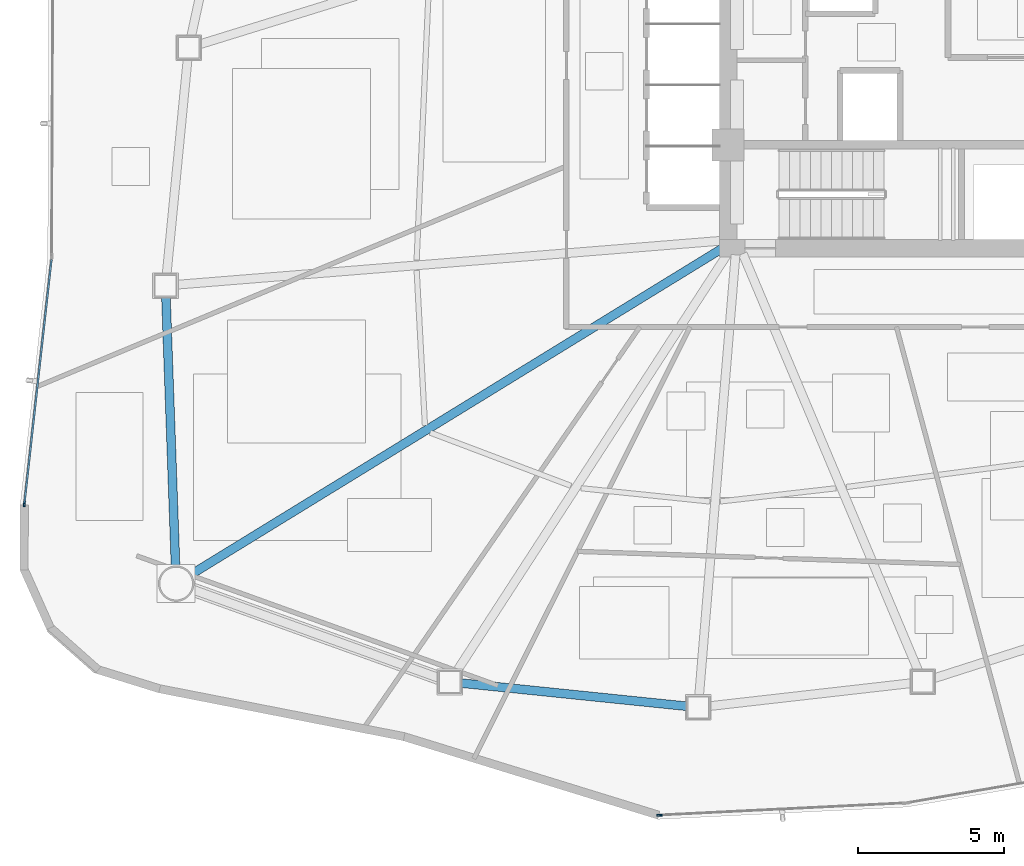
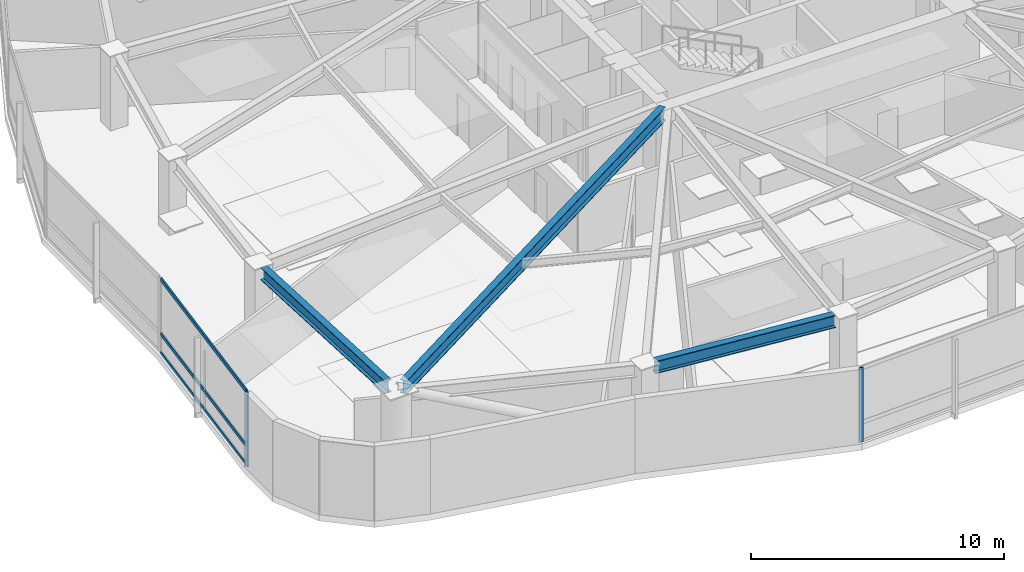
# One storey, part 2 of 18: 5 members, 3 beams, 2 elements without a shape of their own.
"""IFC4 building model written with IfcOpenShell, lengths in metres."""

from ifc_helpers import new_model, si_unit, direction, frame, origin, origin_2d, place, context, subcontext, project, spatial, hollow_rectangle, i_section, extrude, source, transform, mapped, material, layer, layer_set, material_profile, profile_set, type_object, type_shapes, element, aggregate, save


model = new_model("IFC4")

# Units and contexts
model_context = context("Model", 3, precision=1e-05, world=origin(), true_north=direction((0.0, 1.0)))
body_context = subcontext(model_context, "Body", "Model", "MODEL_VIEW")
ifc_project = project(units=[si_unit("LENGTHUNIT", "METRE"), si_unit("AREAUNIT", "SQUARE_METRE"), si_unit("VOLUMEUNIT", "CUBIC_METRE"), si_unit("PLANEANGLEUNIT", "RADIAN"), si_unit("MASSUNIT", "GRAM", prefix="KILO")], contexts=[model_context])

# Site, building, storey
site_placement = place(None, origin())
site = spatial("IfcSite", under=ifc_project, at=site_placement, CompositionType="ELEMENT")
building_placement = place(site_placement, origin())
building = spatial("IfcBuilding", under=site, at=building_placement, Name="Tavelor Broadcast Tower", CompositionType="ELEMENT")
storey_placement = place(building_placement, frame((0.0, 0.0, 51.0)))
storey = spatial("IfcBuildingStorey", under=building, at=storey_placement, Name="L11", CompositionType="ELEMENT", Elevation=51.0)

# Beams
ifc_material_1 = material(Name="Steel S355", Category="steel")
ifc_material_profile_1 = material_profile(ifc_material_1, i_section(OverallWidth=0.300048828125, OverallDepth=0.60009765625, WebThickness=0.015380859375, FlangeThickness=0.030029296875, at=origin_2d()), Name="HEB 600")
ifc_profile_set_1 = profile_set([ifc_material_profile_1], Name="Steel S355")
beam_type_1 = type_object("IfcBeamType", Name="Perimeter Spandrel Beam T1 HEB 600", PredefinedType="SPANDREL", material=ifc_profile_set_1)
beam_1_placement = place(storey_placement, frame((23.808349609375, 36.83251953125, 3.300048828125), z_axis=(0.035604109309, -0.999365972705, 0.0), x_axis=(0.999365972705, 0.035604109309, 0.0)))
element("IfcBeam", 1, at=beam_1_placement, inside=storey, type_object=beam_type_1, Name="L11 Framed-Tube Ring Spandrel 06", PredefinedType="SPANDREL", context=body_context, shape_type="SweptSolid", body=[
    extrude(i_section(OverallWidth=0.300048828125, OverallDepth=0.60009765625, WebThickness=0.015380859375, FlangeThickness=0.030029296875, at=origin_2d()), origin(), (0.0, 0.0, 1.0), 9.263916015625),
])
beam_2_placement = place(storey_placement, frame((33.932861328125, 23.576416015625, 3.300048828125), z_axis=(0.994769619219, -0.102144038879, 0.0), x_axis=(0.102144038879, 0.994769619219, 0.0)))
element("IfcBeam", 2, at=beam_2_placement, inside=storey, type_object=beam_type_1, Name="L11 Framed-Tube Ring Spandrel 08", PredefinedType="SPANDREL", context=body_context, shape_type="SweptSolid", body=[
    extrude(i_section(OverallWidth=0.300048828125, OverallDepth=0.60009765625, WebThickness=0.015380859375, FlangeThickness=0.030029296875, at=origin_2d()), origin(), (0.0, 0.0, 1.0), 7.799072265625),
])
ifc_material_profile_2 = material_profile(ifc_material_1, i_section(OverallWidth=0.300048828125, OverallDepth=0.64990234375, WebThickness=0.01611328125, FlangeThickness=0.031005859375, at=origin_2d()), Name="HEB 650")
ifc_profile_set_2 = profile_set([ifc_material_profile_2], Name="Steel S355")
beam_type_2 = type_object("IfcBeamType", Name="Radial Floor Girder T1 HEB 650", PredefinedType="BEAM", material=ifc_profile_set_2)
beam_3_placement = place(storey_placement, frame((42.949951171875, 38.523681640625, 3.27490234375), z_axis=(-0.852260376483, -0.523117817205, 0.0), x_axis=(0.523117817205, -0.852260376483, 0.0)))
element("IfcBeam", 3, at=beam_3_placement, inside=storey, type_object=beam_type_2, Name="L11 Radial Primary Floor Girder 07", PredefinedType="BEAM", context=body_context, shape_type="SweptSolid", body=[
    extrude(i_section(OverallWidth=0.300048828125, OverallDepth=0.64990234375, WebThickness=0.01611328125, FlangeThickness=0.031005859375, at=origin_2d()), origin(), (0.0, 0.0, 1.0), 21.463134765625),
])

# Curtain wall, member
ifc_material_2 = material(Name="Architectural Anodized Aluminium", Category="aluminium")
ifc_layer = layer(ifc_material_2, 0.179931640625)
ifc_layer_set = layer_set([ifc_layer], Name="Architectural Anodized Aluminium")
curtain_wall_type = type_object("IfcCurtainWallType", Name="Tower Low-Zone Unitised Curtain Wall CW02", PredefinedType="NOTDEFINED", material=ifc_layer_set)
curtain_wall_1_placement = place(storey_placement, origin())
curtain_wall_1 = element("IfcCurtainWall", 4, at=curtain_wall_1_placement, inside=storey, type_object=curtain_wall_type, Name="L11 Curtain Wall CW02 Run 88", PredefinedType="NOTDEFINED")
ifc_material_profile_3 = material_profile(ifc_material_2, hollow_rectangle(XDim=0.06494140625, YDim=0.179931640625, WallThickness=0.02197265625, at=origin_2d()), Name="RHS 65x180x22")
ifc_profile_set_3 = profile_set([ifc_material_profile_3], Name="Architectural Anodized Aluminium")
member_type_1 = type_object("IfcMemberType", Name="CW02 Extruded Aluminium Mullion 65x180", PredefinedType="MULLION", material=ifc_profile_set_3)
shared_shape_1 = source(origin(), body_context, "Body", "SweptSolid", [
    extrude(hollow_rectangle(XDim=0.06494140625, YDim=0.179931640625, WallThickness=0.02197265625, at=origin_2d()), origin(), (0.0, 0.0, 1.0), 3.60009765625),
])
type_shapes(member_type_1, [shared_shape_1])
member_1_placement = place(storey_placement, frame((18.948974609375, 29.72119140625, 0.0), z_axis=(0.0, 0.0, 1.0), x_axis=(0.993915698011, -0.110143475738, 0.0)))
member_1 = element("IfcMember", 5, at=member_1_placement, type_object=member_type_1, Name="CW02 mullion 2", PredefinedType="MULLION", context=body_context, shape_type="MappedRepresentation", body=[
    mapped(shared_shape_1, transform((0.0, 0.0, 0.0), scale=1.0)),
])

curtain_wall_2_placement = place(storey_placement, origin())
curtain_wall_2 = element("IfcCurtainWall", 6, at=curtain_wall_2_placement, inside=storey, type_object=curtain_wall_type, Name="L11 Curtain Wall CW02 Run 89", PredefinedType="NOTDEFINED")
member_2_placement = place(storey_placement, frame((40.7451171875, 19.0419921875, 0.0), z_axis=(0.0, 0.0, 1.0), x_axis=(-0.049281184615, 0.998784944241, 0.0)))
member_2 = element("IfcMember", 7, at=member_2_placement, type_object=member_type_1, Name="CW02 mullion 1", PredefinedType="MULLION", context=body_context, shape_type="MappedRepresentation", body=[
    mapped(shared_shape_1, transform((0.0, 0.0, 0.0), scale=1.0)),
])
aggregate(curtain_wall_2, [member_2])

# Member
ifc_material_profile_4 = material_profile(ifc_material_2, hollow_rectangle(XDim=0.06494140625, YDim=0.179931640625, WallThickness=0.02197265625, at=origin_2d()), Name="RHS 65x180x22")
ifc_profile_set_4 = profile_set([ifc_material_profile_4], Name="Architectural Anodized Aluminium")
member_type_2 = type_object("IfcMemberType", Name="CW02 Extruded Aluminium Transom 65x180", PredefinedType="USERDEFINED", material=ifc_profile_set_4)
shared_shape_2 = source(origin(), body_context, "Body", "SweptSolid", [
    extrude(hollow_rectangle(XDim=0.06494140625, YDim=0.179931640625, WallThickness=0.02197265625, at=origin_2d()), origin(), (0.0, 0.0, 1.0), 8.405029296875),
])
type_shapes(member_type_2, [shared_shape_2])
member_3_placement = place(storey_placement, frame((19.87841796875, 38.107421875, 0.032470703125), z_axis=(-0.110144598026, -0.993915573641, 0.0), x_axis=(0.993915573641, -0.110144598026, 0.0)))
member_3 = element("IfcMember", 8, at=member_3_placement, type_object=member_type_2, Name="CW02 transom 1.1", ObjectType="TRANSOM", PredefinedType="USERDEFINED", context=body_context, shape_type="MappedRepresentation", body=[
    mapped(shared_shape_2, transform((0.0, 0.0, 0.0), scale=1.0)),
])

member_4_placement = place(storey_placement, frame((19.87841796875, 38.107421875, 0.949951171875), z_axis=(-0.110144598026, -0.993915573641, 0.0), x_axis=(0.993915573641, -0.110144598026, 0.0)))
member_4 = element("IfcMember", 9, at=member_4_placement, type_object=member_type_2, Name="CW02 transom 1.2", ObjectType="TRANSOM", PredefinedType="USERDEFINED", context=body_context, shape_type="MappedRepresentation", body=[
    mapped(shared_shape_2, transform((0.0, 0.0, 0.0), scale=1.0)),
])

member_5_placement = place(storey_placement, frame((19.87841796875, 38.107421875, 3.5673828125), z_axis=(-0.110144598026, -0.993915573641, 0.0), x_axis=(0.993915573641, -0.110144598026, 0.0)))
member_5 = element("IfcMember", 10, at=member_5_placement, type_object=member_type_2, Name="CW02 transom 1.3", ObjectType="TRANSOM", PredefinedType="USERDEFINED", context=body_context, shape_type="MappedRepresentation", body=[
    mapped(shared_shape_2, transform((0.0, 0.0, 0.0), scale=1.0)),
])

aggregate(curtain_wall_1, [member_1, member_3, member_4, member_5])

save(model, "model.ifc")
